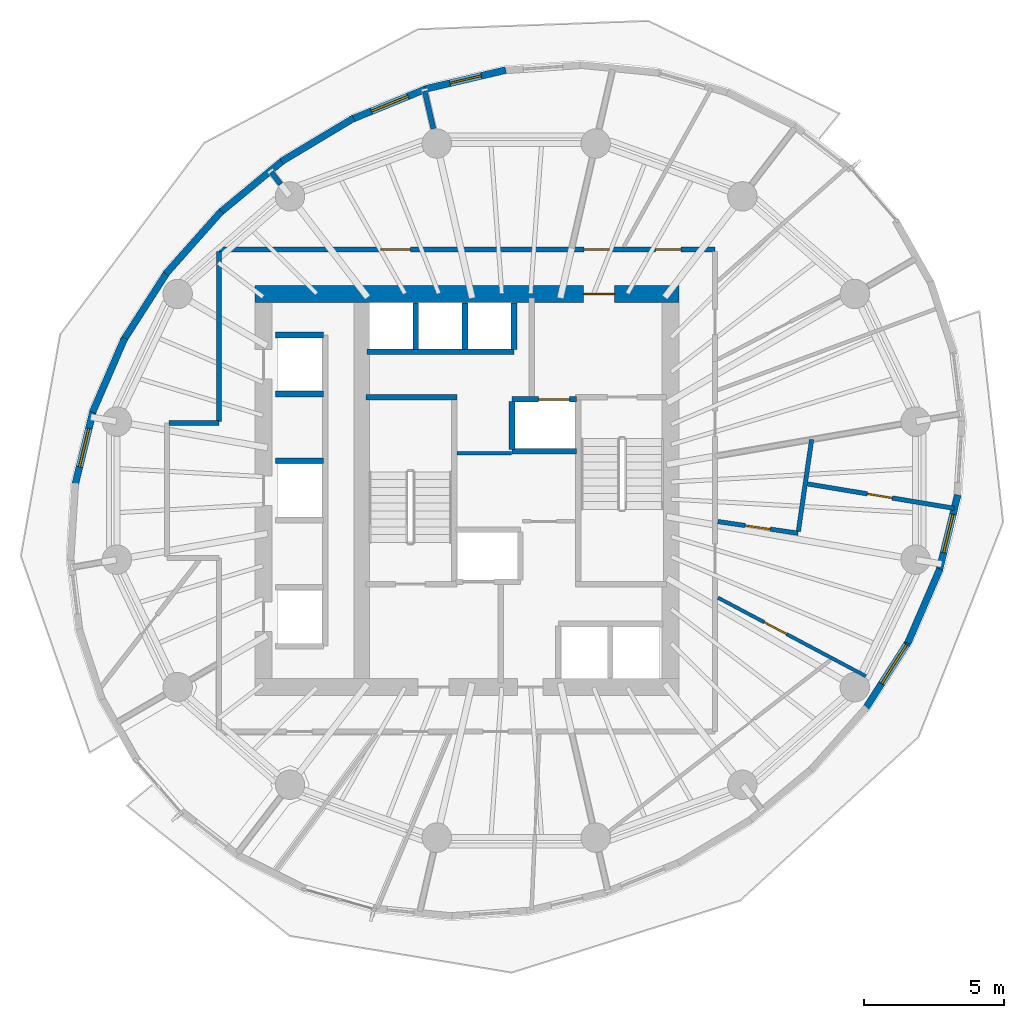
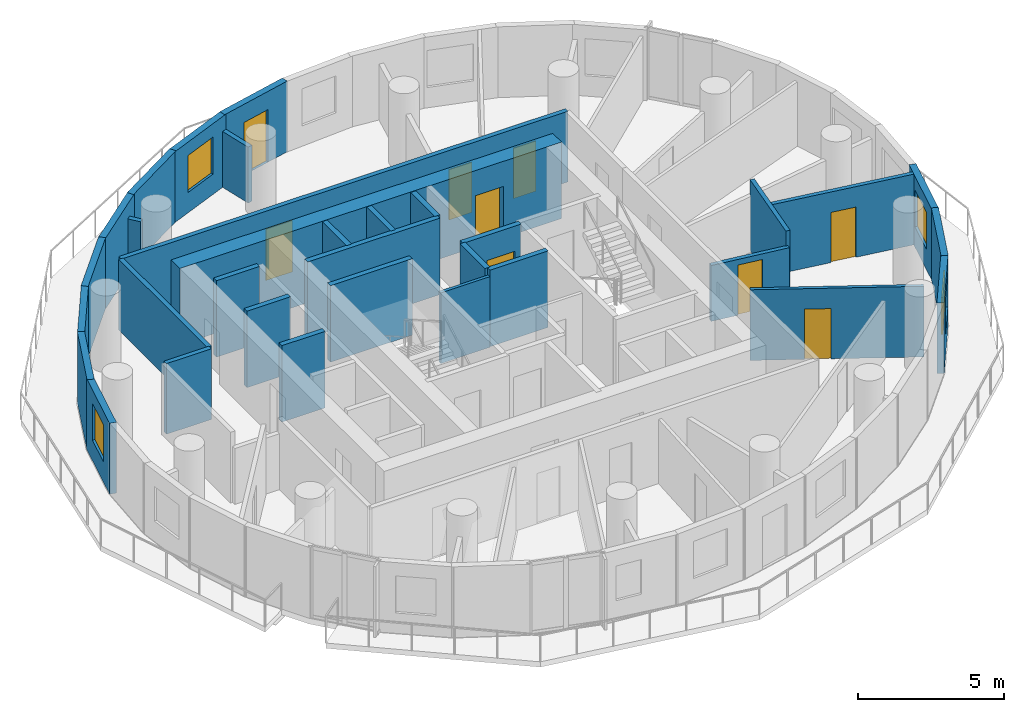
# One storey, part 6 of 12: 33 walls, 9 doors, 4 windows, 13 openings.
"""IFC4 building model written with IfcOpenShell, lengths in metres."""

import ifcopenshell
import ifcopenshell.guid

model = None  # the IFC model being written
_history = None  # IfcOwnerHistory: only IFC2X3 demands one
_inside = {}  # id of a spatial element -> (the spatial element, [elements in it])
_under = {}  # id of a project, library or spatial element -> (it, [spatial elements below it])
_declared = {}  # id of a project -> (the project, [libraries it declares])
_typed = {}  # id of a type object -> (the type object, [elements of that type])
_made_of = {}  # id of a material, layer set ... -> (it, [elements and type objects made of it])


def new_model(schema):
    """Start an empty IFC model of exactly this schema.

    Asked for "IFC4X3", IfcOpenShell would pick the latest addendum, in which some entities
    have other attributes; the version numbers below select the first issue.
    IFC2X3 requires an IfcOwnerHistory on every rooted entity: one is made here for all.
    """
    global model, _history
    if schema == "IFC4X3":
        model = ifcopenshell.file(schema_version=(4, 3, 0, 0))
    else:
        model = ifcopenshell.file(schema=schema)
    _inside.clear()
    _under.clear()
    _declared.clear()
    _typed.clear()
    _made_of.clear()
    _history = None
    if model.schema == "IFC2X3":
        org = make("IfcOrganization", Name="unknown")
        user = make(
            "IfcPersonAndOrganization",
            ThePerson=make("IfcPerson", FamilyName="unknown"),
            TheOrganization=org,
        )
        app = make(
            "IfcApplication",
            ApplicationDeveloper=org,
            Version="unknown",
            ApplicationFullName="unknown",
            ApplicationIdentifier="unknown",
        )
        _history = make(
            "IfcOwnerHistory",
            OwningUser=user,
            OwningApplication=app,
            ChangeAction="ADDED",
            CreationDate=0,
        )
    return model


def make(cls, **values):
    """One entity of the class cls with the attributes given. An attribute that is None is left unset."""
    return model.create_entity(
        cls, **{name: value for name, value in values.items() if value is not None}
    )


def rooted(cls, **values):
    """An entity with a GlobalId (a new one), such as an element, a storey or a relation."""
    return make(cls, GlobalId=ifcopenshell.guid.new(), OwnerHistory=_history, **values)


def si_unit(unit_type, name, prefix=None):
    """IfcSIUnit, for example si_unit("LENGTHUNIT", "METRE", prefix="MILLI")."""
    return make("IfcSIUnit", UnitType=unit_type, Prefix=prefix, Name=name)


def assignment(units):
    """IfcUnitAssignment: the units of a project."""
    return None if units is None else make("IfcUnitAssignment", Units=units)


def point(xyz):
    """IfcCartesianPoint."""
    return None if xyz is None else make("IfcCartesianPoint", Coordinates=xyz)


def direction(xyz):
    """IfcDirection."""
    return None if xyz is None else make("IfcDirection", DirectionRatios=xyz)


def frame(location, z_axis=None, x_axis=None):
    """IfcAxis2Placement3D, a coordinate frame: its origin and axes. An axis left out is left unset."""
    return make(
        "IfcAxis2Placement3D",
        Location=point(location),
        Axis=direction(z_axis),
        RefDirection=direction(x_axis),
    )


def frame_2d(location, x_axis=None):
    """IfcAxis2Placement2D, a coordinate frame in the plane: its origin and x axis."""
    return make(
        "IfcAxis2Placement2D", Location=point(location), RefDirection=direction(x_axis)
    )


def origin():
    """The frame at (0, 0, 0) with its axes left unset."""
    return frame((0.0, 0.0, 0.0))


def place(relative_to, where):
    """IfcLocalPlacement: puts the frame where relative to a parent placement (None: the world)."""
    return make(
        "IfcLocalPlacement", PlacementRelTo=relative_to, RelativePlacement=where
    )


def context(
    kind, dimensions, precision=None, world=None, true_north=None, identifier=None
):
    """IfcGeometricRepresentationContext, for example the 3D "Model" context."""
    return make(
        "IfcGeometricRepresentationContext",
        ContextIdentifier=identifier,
        ContextType=kind,
        CoordinateSpaceDimension=dimensions,
        Precision=precision,
        WorldCoordinateSystem=world,
        TrueNorth=true_north,
    )


def subcontext(parent, identifier, kind, view, scale=None):
    """IfcGeometricRepresentationSubContext, for example "Body" below "Model"."""
    return make(
        "IfcGeometricRepresentationSubContext",
        ContextIdentifier=identifier,
        ContextType=kind,
        ParentContext=parent,
        TargetScale=scale,
        TargetView=view,
    )


def project(units=None, contexts=None):
    """IfcProject with its units and contexts."""
    return rooted(
        "IfcProject",
        Name="project",
        RepresentationContexts=contexts,
        UnitsInContext=assignment(units),
    )


def spatial(cls, under=None, at=None, **own):
    """A site, building, storey or space (cls), placed at a placement, below another one or the project."""
    s = rooted(cls, ObjectPlacement=at, **own)
    if under is not None:
        _under.setdefault(under.id(), (under, []))[1].append(s)
    return s


def profile(cls, at=None, kind="AREA", **sizes):
    """A parametric profile (cls). Its sizes go by their IFC names, for example OverallWidth=200.0."""
    return make(cls, ProfileType=kind, Position=at, **sizes)


def rectangle(**sizes):
    """IfcRectangleProfileDef."""
    return profile("IfcRectangleProfileDef", **sizes)


def extrude(swept, where, along, depth):
    """IfcExtrudedAreaSolid: the profile swept, set in the frame where, extruded along a direction by depth."""
    return make(
        "IfcExtrudedAreaSolid",
        SweptArea=swept,
        Position=where,
        ExtrudedDirection=direction(along),
        Depth=depth,
    )


def shape(context_of_items, identifier, shape_type, items):
    """IfcShapeRepresentation: the items that make up one representation, for example the "Body"."""
    return make(
        "IfcShapeRepresentation",
        ContextOfItems=context_of_items,
        RepresentationIdentifier=identifier,
        RepresentationType=shape_type,
        Items=items,
    )


def material(Name=None, Category=None):
    """IfcMaterial."""
    return make("IfcMaterial", Name=Name, Category=Category)


def layer(
    of_material, thickness, ventilated=None, Name=None, Category=None, Priority=None
):
    """IfcMaterialLayer: one layer of a wall or slab, of a material (None: an air gap)."""
    return make(
        "IfcMaterialLayer",
        Material=of_material,
        LayerThickness=thickness,
        IsVentilated=ventilated,
        Name=Name,
        Category=Category,
        Priority=Priority,
    )


def layer_set(layers, Name=None):
    """IfcMaterialLayerSet."""
    return make("IfcMaterialLayerSet", MaterialLayers=layers, LayerSetName=Name)


def made_of(thing, what):
    """Note that an element or type object is made of a material, layer set ...; save() writes the relation."""
    if what is not None:
        _made_of.setdefault(what.id(), (what, []))[1].append(thing)
    return thing


def type_object(cls, material=None, **own):
    """A type object (cls), such as IfcWallType, which elements share."""
    return made_of(rooted(cls, **own), material)


def element(
    cls,
    number,
    at=None,
    inside=None,
    cuts=None,
    type_object=None,
    material=None,
    context=None,
    identifier="Body",
    shape_type=None,
    held_by="IfcProductDefinitionShape",
    body=None,
    shapes=None,
    **own,
):
    """One element of the class cls, such as IfcWall. Its Tag is "e" and its number.

    at: its placement. inside: the storey or other place that contains it. cuts: it is an
    opening in that element (IfcRelVoidsElement). A single representation is given by context,
    identifier, shape_type and body (its items); several are given by shapes. held_by: the class
    of the entity that holds the representations. save() writes the other relations.
    """
    e = rooted(cls, Tag="e%d" % number, ObjectPlacement=at, **own)
    if body is not None:
        shapes = [shape(context, identifier, shape_type, body)]
    if shapes is not None:
        e.Representation = make(held_by, Representations=shapes)
    if inside is not None:
        _inside.setdefault(inside.id(), (inside, []))[1].append(e)
    if cuts is not None:
        rooted(
            "IfcRelVoidsElement", RelatingBuildingElement=cuts, RelatedOpeningElement=e
        )
    if type_object is not None:
        _typed.setdefault(type_object.id(), (type_object, []))[1].append(e)
    return made_of(e, material)


def fill(opening, filler):
    """IfcRelFillsElement: the door or window that sits in an opening."""
    return rooted(
        "IfcRelFillsElement",
        RelatingOpeningElement=opening,
        RelatedBuildingElement=filler,
    )


def aggregate(whole, parts):
    """IfcRelAggregates: a whole, such as a stair, and the parts it consists of."""
    return rooted("IfcRelAggregates", RelatingObject=whole, RelatedObjects=parts)


def save(model, path):
    """Write the relations noted so far, then the file.

    IfcRelAggregates (storeys below a building ...), IfcRelContainedInSpatialStructure (elements
    in a storey), IfcRelDefinesByType, IfcRelAssociatesMaterial and IfcRelDeclares: one each for
    every whole, place, type object, material and project.
    """
    for whole, parts in _under.values():
        aggregate(whole, parts)
    for where, things in _inside.values():
        rooted(
            "IfcRelContainedInSpatialStructure",
            RelatedElements=things,
            RelatingStructure=where,
        )
    for kind, things in _typed.values():
        rooted("IfcRelDefinesByType", RelatedObjects=things, RelatingType=kind)
    for what, things in _made_of.values():
        rooted("IfcRelAssociatesMaterial", RelatedObjects=things, RelatingMaterial=what)
    for by, libraries in _declared.values():
        rooted("IfcRelDeclares", RelatingContext=by, RelatedDefinitions=libraries)
    model.write(path)


model = new_model("IFC4")

# Units and contexts
model_context = context("Model", 3, precision=1e-05, world=origin(), true_north=direction((0.0, 1.0)))
body_context = subcontext(model_context, "Body", "Model", "MODEL_VIEW")
ifc_project = project(units=[si_unit("LENGTHUNIT", "METRE"), si_unit("AREAUNIT", "SQUARE_METRE"), si_unit("VOLUMEUNIT", "CUBIC_METRE"), si_unit("PLANEANGLEUNIT", "RADIAN"), si_unit("MASSUNIT", "GRAM", prefix="KILO")], contexts=[model_context])

# Site, building, storey
site_placement = place(None, origin())
site = spatial("IfcSite", under=ifc_project, at=site_placement, CompositionType="ELEMENT")
building_placement = place(site_placement, origin())
building = spatial("IfcBuilding", under=site, at=building_placement, Name="Veldorim Arch Residences", CompositionType="ELEMENT")
storey_placement = place(building_placement, frame((0.0, 0.0, 148.9599609375)))
storey = spatial("IfcBuildingStorey", under=building, at=storey_placement, Name="L44", CompositionType="ELEMENT", Elevation=148.9599609375)

# Wall
ifc_material_1 = material(Name="Acoustic Gypsum Board", Category="gypsum")
ifc_layer_1 = layer(ifc_material_1, 0.125, Name="Acoustic Stud Room Partition Wall 125")
ifc_layer_set_1 = layer_set([ifc_layer_1], Name="Acoustic Gypsum Board")
wall_type_1 = type_object("IfcWallType", Name="Acoustic Stud Room Partition Wall 125", PredefinedType="PARTITIONING", material=ifc_layer_set_1)
wall_1_placement = place(storey_placement, frame((29.889892578125, 25.330078125, 0.0), z_axis=(0.0, 0.0, 1.0), x_axis=(1.0, 0.0, 0.0)))
element("IfcWall", 1, at=wall_1_placement, inside=storey, type_object=wall_type_1, Name="L44 interior wall WL-CA-L44-N", PredefinedType="PARTITIONING", context=body_context, shape_type="SweptSolid", body=[
    extrude(rectangle(XDim=1.940185546875, YDim=0.125, at=frame_2d((0.97021484375, 0.0))), origin(), (0.0, 0.0, 1.0), 2.955078125),
])

# Wall, opening, door
wall_2_placement = place(storey_placement, frame((44.443115234375, 17.39453125, 0.0), z_axis=(0.0, 0.0, 1.0), x_axis=(-0.883258541518, 0.468886285612, 0.0)))
wall_2 = element("IfcWall", 2, at=wall_2_placement, inside=storey, type_object=wall_type_1, Name="L44 interior wall WL-RES-L44-016", PredefinedType="PARTITIONING", context=body_context, shape_type="SweptSolid", body=[
    extrude(rectangle(XDim=5.951904296875, YDim=0.125, at=frame_2d((2.97607421875, 0.0))), origin(), (0.0, 0.0, 1.0), 2.955078125),
])
opening_1_placement = place(wall_2_placement, frame((3.18408203125, 0.0, 0.0)))
opening_1 = element("IfcOpeningElement", 3, at=opening_1_placement, cuts=wall_2, Name="Opening DR-INT", PredefinedType="OPENING", context=body_context, shape_type="SweptSolid", body=[
    extrude(rectangle(XDim=0.89990234375, YDim=2.10009765625, at=frame_2d((0.449951171875, 1.050048828125))), frame((0.0, 0.072509765625, 0.0), z_axis=(0.0, -1.0, 0.0), x_axis=(1.0, 0.0, 0.0)), (0.0, 0.0, 1.0), 0.14501953125),
])
ifc_material_2 = material(Name="Engineered Timber", Category="wood")
door_type_1 = type_object("IfcDoorType", Name="Apartment Internal Room Timber Door 900x2100", OperationType="SINGLE_SWING_LEFT", PredefinedType="DOOR", material=ifc_material_2)
door_1_placement = place(opening_1_placement, origin())
door_1 = element("IfcDoor", 4, at=door_1_placement, inside=storey, type_object=door_type_1, Name="L44 interior door DR-RES-L44-007", OperationType="SINGLE_SWING_LEFT", OverallHeight=2.10009765625, OverallWidth=0.89990234375, PredefinedType="DOOR", context=body_context, shape_type="SweptSolid", body=[
    extrude(rectangle(XDim=0.89990234375, YDim=2.10009765625, at=frame_2d((0.449951171875, 1.050048828125))), frame((0.0, 0.02490234375, 0.0), z_axis=(0.0, -1.0, 0.0), x_axis=(1.0, 0.0, 0.0)), (0.0, 0.0, 1.0), 0.050048828125),
])
fill(opening_1, door_1)

# Walls
ifc_material_3 = material(Name="Lightweight Masonry Block & Gypsum", Category="masonry")
ifc_layer_2 = layer(ifc_material_3, 0.179931640625, Name="Compartment & Corridor Fire-Rated Party Wall 180")
ifc_layer_set_2 = layer_set([ifc_layer_2], Name="Lightweight Masonry Block & Gypsum")
wall_type_2 = type_object("IfcWallType", Name="Compartment & Corridor Fire-Rated Party Wall 180", PredefinedType="PARTITIONING", material=ifc_layer_set_2)
wall_3_placement = place(storey_placement, frame((29.049560546875, 36.88916015625, 0.0), z_axis=(0.0, 0.0, 1.0), x_axis=(-0.223027623572, 0.974812125039, 0.0)))
element("IfcWall", 5, at=wall_3_placement, inside=storey, type_object=wall_type_2, Name="L44 interior wall WL-PIER-L44-05", PredefinedType="PARTITIONING", context=body_context, shape_type="SweptSolid", body=[
    extrude(rectangle(XDim=1.372802734375, YDim=0.179931640625, at=frame_2d((0.6865234375, 0.0))), origin(), (0.0, 0.0, 1.0), 2.3359375),
])
wall_4_placement = place(storey_placement, frame((23.612060546875, 34.908447265625, 0.0), z_axis=(0.0, 0.0, 1.0), x_axis=(-0.6096676216, 0.792657171275, 0.0)))
element("IfcWall", 6, at=wall_4_placement, inside=storey, type_object=wall_type_2, Name="L44 interior wall WL-PIER-L44-06", PredefinedType="PARTITIONING", context=body_context, shape_type="SweptSolid", body=[
    extrude(rectangle(XDim=0.547119140625, YDim=0.179931640625, at=frame_2d((0.2734375, 0.0))), origin(), (0.0, 0.0, 1.0), 2.3359375),
])

# Wall, openings, doors
wall_5_placement = place(storey_placement, frame((21.419921875, 32.580078125, 0.0), z_axis=(0.0, 0.0, 1.0), x_axis=(1.0, 0.0, 0.0)))
wall_5 = element("IfcWall", 7, at=wall_5_placement, inside=storey, type_object=wall_type_2, Name="L44 interior wall WL-RES-L44-004", PredefinedType="PARTITIONING", context=body_context, shape_type="SweptSolid", body=[
    extrude(rectangle(XDim=17.66015625, YDim=0.179931640625, at=frame_2d((8.830078125, 0.0))), origin(), (0.0, 0.0, 1.0), 2.955078125),
])
opening_2_placement = place(wall_5_placement, frame((13.000732421875, 0.0, 0.0)))
opening_2 = element("IfcOpeningElement", 8, at=opening_2_placement, cuts=wall_5, Name="Opening DR-INT", PredefinedType="OPENING", context=body_context, shape_type="SweptSolid", body=[
    extrude(rectangle(XDim=0.89990234375, YDim=2.10009765625, at=frame_2d((0.449951171875, 1.050048828125))), frame((0.0, 0.099853515625, 0.0), z_axis=(0.0, -1.0, 0.0), x_axis=(1.0, 0.0, 0.0)), (0.0, 0.0, 1.0), 0.199951171875),
])
opening_3_placement = place(wall_5_placement, frame((15.54736328125, 0.0, 0.0)))
opening_3 = element("IfcOpeningElement", 9, at=opening_3_placement, cuts=wall_5, Name="Opening DR-SVC", PredefinedType="OPENING", context=body_context, shape_type="SweptSolid", body=[
    extrude(rectangle(XDim=0.89990234375, YDim=2.10009765625, at=frame_2d((0.449951171875, 1.050048828125))), frame((0.0, 0.099853515625, 0.0), z_axis=(0.0, -1.0, 0.0), x_axis=(1.0, 0.0, 0.0)), (0.0, 0.0, 1.0), 0.199951171875),
])
opening_4_placement = place(wall_5_placement, frame((5.757080078125, 0.0, 0.0)))
opening_4 = element("IfcOpeningElement", 10, at=opening_4_placement, cuts=wall_5, Name="Opening DR-FLT", PredefinedType="OPENING", context=body_context, shape_type="SweptSolid", body=[
    extrude(rectangle(XDim=1.050048828125, YDim=2.14990234375, at=frame_2d((0.52490234375, 1.074951171875))), frame((0.0, 0.099853515625, 0.0), z_axis=(0.0, -1.0, 0.0), x_axis=(1.0, 0.0, 0.0)), (0.0, 0.0, 1.0), 0.199951171875),
])
ifc_material_4 = material(Name="Fire-Rated Timber", Category="wood")
door_type_2 = type_object("IfcDoorType", Name="Apartment Entrance Solid-Core Fire Door 1050x2150", OperationType="SINGLE_SWING_LEFT", PredefinedType="DOOR", material=ifc_material_4)
door_2_placement = place(opening_4_placement, origin())
door_2 = element("IfcDoor", 11, at=door_2_placement, inside=storey, type_object=door_type_2, Name="L44 interior door DR-RES-L44-015", OperationType="SINGLE_SWING_LEFT", OverallHeight=2.14990234375, OverallWidth=1.050048828125, PredefinedType="DOOR", context=body_context, shape_type="SweptSolid", body=[
    extrude(rectangle(XDim=1.050048828125, YDim=2.14990234375, at=frame_2d((0.52490234375, 1.074951171875))), frame((0.0, 0.02490234375, 0.0), z_axis=(0.0, -1.0, 0.0), x_axis=(1.0, 0.0, 0.0)), (0.0, 0.0, 1.0), 0.050048828125),
])
fill(opening_4, door_2)
door_3_placement = place(opening_2_placement, origin())
door_3 = element("IfcDoor", 12, at=door_3_placement, inside=storey, type_object=door_type_1, Name="L44 interior door DR-RES-L44-010", OperationType="SINGLE_SWING_RIGHT", OverallHeight=2.10009765625, OverallWidth=0.89990234375, PredefinedType="DOOR", context=body_context, shape_type="SweptSolid", body=[
    extrude(rectangle(XDim=0.89990234375, YDim=2.10009765625, at=frame_2d((0.449951171875, 1.050048828125))), frame((0.0, 0.02490234375, 0.0), z_axis=(0.0, -1.0, 0.0), x_axis=(1.0, 0.0, 0.0)), (0.0, 0.0, 1.0), 0.050048828125),
])
fill(opening_2, door_3)
ifc_material_5 = material(Name="Fire-Rated Steel", Category="steel")
door_type_3 = type_object("IfcDoorType", Name="Riser, Shelter & Plant Room Rated Steel Door 900x2100", OperationType="SINGLE_SWING_LEFT", PredefinedType="DOOR", material=ifc_material_5)
door_4_placement = place(opening_3_placement, origin())
door_4 = element("IfcDoor", 13, at=door_4_placement, inside=storey, type_object=door_type_3, Name="L44 interior door DR-RES-L44-011", OperationType="SINGLE_SWING_LEFT", OverallHeight=2.10009765625, OverallWidth=0.89990234375, PredefinedType="DOOR", context=body_context, shape_type="SweptSolid", body=[
    extrude(rectangle(XDim=0.89990234375, YDim=2.10009765625, at=frame_2d((0.449951171875, 1.050048828125))), frame((0.0, 0.02490234375, 0.0), z_axis=(0.0, -1.0, 0.0), x_axis=(1.0, 0.0, 0.0)), (0.0, 0.0, 1.0), 0.050048828125),
])
fill(opening_3, door_4)

# Walls
wall_6_placement = place(storey_placement, frame((19.6298828125, 26.39990234375, 0.0), z_axis=(0.0, 0.0, 1.0), x_axis=(1.0, 0.0, 0.0)))
element("IfcWall", 14, at=wall_6_placement, inside=storey, type_object=wall_type_2, Name="L44 interior wall WL-RES-L44-008", PredefinedType="PARTITIONING", context=body_context, shape_type="SweptSolid", body=[
    extrude(rectangle(XDim=1.7900390625, YDim=0.179931640625, at=frame_2d((0.89501953125, 0.0))), origin(), (0.0, 0.0, 1.0), 2.955078125),
])
wall_7_placement = place(storey_placement, frame((21.419921875, 26.4599609375, 0.0), z_axis=(0.0, 0.0, 1.0), x_axis=(0.0, 1.0, 0.0)))
element("IfcWall", 15, at=wall_7_placement, inside=storey, type_object=wall_type_2, Name="L44 interior wall WL-RES-L44-009", PredefinedType="PARTITIONING", context=body_context, shape_type="SweptSolid", body=[
    extrude(rectangle(XDim=6.06005859375, YDim=0.179931640625, at=frame_2d((3.030029296875, 0.0))), origin(), (0.0, 0.0, 1.0), 2.955078125),
])
ifc_material_6 = material(Name="Concrete C50/60", Category="concrete")
ifc_layer_3 = layer(ifc_material_6, 0.199951171875, Name="Core Stair & Lift Shaft Enclosure Wall 200")
ifc_layer_set_3 = layer_set([ifc_layer_3], Name="Concrete C50/60")
wall_type_3 = type_object("IfcWallType", Name="Core Stair & Lift Shaft Enclosure Wall 200", PredefinedType="SHEAR", material=ifc_layer_set_3)
wall_8_placement = place(storey_placement, frame((26.64990234375, 27.330078125, 0.0), z_axis=(0.0, 0.0, 1.0), x_axis=(1.0, 0.0, 0.0)))
element("IfcWall", 16, at=wall_8_placement, inside=storey, type_object=wall_type_3, Name="L44 shaft wall WL-SHF-L44-ST1-N", PredefinedType="SHEAR", context=body_context, shape_type="SweptSolid", body=[
    extrude(rectangle(XDim=3.239990234375, YDim=0.199951171875, at=frame_2d((1.6201171875, 0.0))), origin(), (0.0, 0.0, 1.0), 3.199951171875),
])

# Wall, opening, door
wall_9_placement = place(storey_placement, frame((31.85009765625, 27.25, 0.0), z_axis=(0.0, 0.0, 1.0), x_axis=(1.0, 0.0, 0.0)))
wall_9 = element("IfcWall", 17, at=wall_9_placement, inside=storey, type_object=wall_type_3, Name="L44 shaft wall WL-FL02-L44-N", PredefinedType="SHEAR", context=body_context, shape_type="SweptSolid", body=[
    extrude(rectangle(XDim=2.2998046875, YDim=0.199951171875, at=frame_2d((1.14990234375, 0.0))), origin(), (0.0, 0.0, 1.0), 3.199951171875),
])
opening_5_placement = place(wall_9_placement, frame((0.949951171875, 0.0, 0.0)))
opening_5 = element("IfcOpeningElement", 18, at=opening_5_placement, cuts=wall_9, Name="Opening LD-FF", PredefinedType="OPENING", context=body_context, shape_type="SweptSolid", body=[
    extrude(rectangle(XDim=1.10009765625, YDim=2.14990234375, at=frame_2d((0.550048828125, 1.074951171875))), frame((0.0, 0.10986328125, 0.0), z_axis=(0.0, -1.0, 0.0), x_axis=(1.0, 0.0, 0.0)), (0.0, 0.0, 1.0), 0.219970703125),
])
ifc_material_7 = material(Name="Stainless Steel", Category="steel")
door_type_4 = type_object("IfcDoorType", Name="Firefighting Lift Bi-Parting Sliding Landing Door 1100x2150", OperationType="DOUBLE_DOOR_SLIDING", PredefinedType="DOOR", material=ifc_material_7)
door_5_placement = place(opening_5_placement, origin())
door_5 = element("IfcDoor", 19, at=door_5_placement, inside=storey, type_object=door_type_4, Name="L44 lift landing door LD-L44-FL02", OperationType="DOUBLE_DOOR_SLIDING", OverallHeight=2.14990234375, OverallWidth=1.10009765625, PredefinedType="DOOR", context=body_context, shape_type="SweptSolid", body=[
    extrude(rectangle(XDim=1.10009765625, YDim=2.14990234375, at=frame_2d((0.550048828125, 1.074951171875))), frame((0.0, 0.02490234375, 0.0), z_axis=(0.0, -1.0, 0.0), x_axis=(1.0, 0.0, 0.0)), (0.0, 0.0, 1.0), 0.050048828125),
])
fill(opening_5, door_5)

# Walls
wall_10_placement = place(storey_placement, frame((31.85009765625, 25.39990234375, 0.0), z_axis=(0.0, 0.0, 1.0), x_axis=(1.0, 0.0, 0.0)))
element("IfcWall", 20, at=wall_10_placement, inside=storey, type_object=wall_type_3, Name="L44 shaft wall WL-FL02-L44-S", PredefinedType="SHEAR", context=body_context, shape_type="SweptSolid", body=[
    extrude(rectangle(XDim=2.2998046875, YDim=0.199951171875, at=frame_2d((1.14990234375, 0.0))), origin(), (0.0, 0.0, 1.0), 3.199951171875),
])
for number, where, z_axis, x_axis, name in (
    (21, (31.85009765625, 25.469970703125, 0.0), (0.0, 0.0, 1.0), (0.0, 1.0, 0.0), "L44 shaft wall WL-FL02-L44-W"),
    (22, (23.419921875, 29.5400390625, 0.0), (0.0, 0.0, 1.0), (1.0, 0.0, 0.0), "L44 shaft wall WL-B2-L44-N"),
    (23, (23.419921875, 25.06005859375, 0.0), (0.0, 0.0, 1.0), (1.0, 0.0, 0.0), "L44 shaft wall WL-B2-L44-D2A"),
    (24, (23.419921875, 27.43994140625, 0.0), (0.0, 0.0, 1.0), (1.0, 0.0, 0.0), "L44 shaft wall WL-B2-L44-D2B"),
):
    element("IfcWall", number, at=place(storey_placement, frame(where, z_axis=z_axis, x_axis=x_axis)), inside=storey, type_object=wall_type_3, Name=name, PredefinedType="SHEAR", context=body_context, shape_type="SweptSolid", body=[
        extrude(rectangle(XDim=1.7099609375, YDim=0.199951171875, at=frame_2d((0.85498046875, 0.0))), origin(), (0.0, 0.0, 1.0), 3.199951171875),
    ])
wall_11_placement = place(storey_placement, frame((26.679931640625, 28.949951171875, 0.0), z_axis=(0.0, 0.0, 1.0), x_axis=(1.0, 0.0, 0.0)))
element("IfcWall", 25, at=wall_11_placement, inside=storey, type_object=wall_type_3, Name="L44 shaft wall WL-B3-L44-S", PredefinedType="SHEAR", context=body_context, shape_type="SweptSolid", body=[
    extrude(rectangle(XDim=5.239990234375, YDim=0.199951171875, at=frame_2d((2.6201171875, 0.0))), origin(), (0.0, 0.0, 1.0), 3.199951171875),
])
for number, where, z_axis, x_axis, name in (
    (26, (31.919921875, 29.02001953125, 0.0), (0.0, 0.0, 1.0), (0.0, 1.0, 0.0), "L44 shaft wall WL-B3-L44-E"),
    (27, (28.425048828125, 29.02001953125, 0.0), (0.0, 0.0, 1.0), (0.0, 1.0, 0.0), "L44 shaft wall WL-B3-L44-D1"),
    (28, (30.175048828125, 29.02001953125, 0.0), (0.0, 0.0, 1.0), (0.0, 1.0, 0.0), "L44 shaft wall WL-B3-L44-D2"),
):
    element("IfcWall", number, at=place(storey_placement, frame(where, z_axis=z_axis, x_axis=x_axis)), inside=storey, type_object=wall_type_3, Name=name, PredefinedType="SHEAR", context=body_context, shape_type="SweptSolid", body=[
        extrude(rectangle(XDim=1.659912109375, YDim=0.199951171875, at=frame_2d((0.830078125, 0.0))), origin(), (0.0, 0.0, 1.0), 3.199951171875),
    ])

# Wall, opening, door
ifc_material_8 = material(Name="Concrete C50/60", Category="concrete")
ifc_layer_4 = layer(ifc_material_8, 0.60009765625, Name="Mid-Upper Central Core Shear Wall 600")
ifc_layer_set_4 = layer_set([ifc_layer_4], Name="Concrete C50/60")
wall_type_4 = type_object("IfcWallType", Name="Mid-Upper Central Core Shear Wall 600", PredefinedType="SHEAR", material=ifc_layer_set_4)
wall_12_placement = place(storey_placement, frame((22.699951171875, 31.0, 0.0), z_axis=(0.0, 0.0, 1.0), x_axis=(1.0, 0.0, 0.0)))
wall_12 = element("IfcWall", 29, at=wall_12_placement, inside=storey, type_object=wall_type_4, Name="L44 central core north shear wall", PredefinedType="SHEAR", context=body_context, shape_type="SweptSolid", body=[
    extrude(rectangle(XDim=15.10009765625, YDim=0.60009765625, at=frame_2d((7.550048828125, 0.0))), origin(), (0.0, 0.0, 1.0), 3.199951171875),
])
opening_6_placement = place(wall_12_placement, frame((11.699951171875, 0.0, 0.0)))
opening_6 = element("IfcOpeningElement", 30, at=opening_6_placement, cuts=wall_12, Name="Opening DR-FFL", PredefinedType="OPENING", context=body_context, shape_type="SweptSolid", body=[
    extrude(rectangle(XDim=1.10009765625, YDim=2.14990234375, at=frame_2d((0.550048828125, 1.074951171875))), frame((0.0, 0.31005859375, 0.0), z_axis=(0.0, -1.0, 0.0), x_axis=(1.0, 0.0, 0.0)), (0.0, 0.0, 1.0), 0.6201171875),
])
ifc_material_9 = material(Name="Fire-Rated Steel & Vision Glass", Category="steel")
door_type_5 = type_object("IfcDoorType", Name="Firefighting Lobby Smoke-Stop Fire Door 1100x2150", OperationType="SINGLE_SWING_LEFT", PredefinedType="DOOR", material=ifc_material_9)
door_6_placement = place(opening_6_placement, origin())
door_6 = element("IfcDoor", 31, at=door_6_placement, inside=storey, type_object=door_type_5, Name="L44 interior door DR-L44-FFL2", OperationType="SINGLE_SWING_LEFT", OverallHeight=2.14990234375, OverallWidth=1.10009765625, PredefinedType="DOOR", context=body_context, shape_type="SweptSolid", body=[
    extrude(rectangle(XDim=1.10009765625, YDim=2.14990234375, at=frame_2d((0.550048828125, 1.074951171875))), frame((0.0, 0.02490234375, 0.0), z_axis=(0.0, -1.0, 0.0), x_axis=(1.0, 0.0, 0.0)), (0.0, 0.0, 1.0), 0.050048828125),
])
fill(opening_6, door_6)

ifc_material_10 = material(Name="Precast concrete C40/50", Category="concrete")
ifc_layer_5 = layer(ifc_material_10, 0.25, Name="Tower Terracotta Spandrel & Pier Wall 250")
ifc_layer_set_5 = layer_set([ifc_layer_5], Name="Precast concrete C40/50")
wall_type_5 = type_object("IfcWallType", Name="Tower Terracotta Spandrel & Pier Wall 250", PredefinedType="SOLIDWALL", material=ifc_layer_set_5)
wall_13_placement = place(storey_placement, frame((28.766845703125, 38.305419921875, 0.0), z_axis=(0.0, 0.0, 1.0), x_axis=(0.973538048261, 0.228524984602, 0.0)))
wall_13 = element("IfcWall", 32, at=wall_13_placement, inside=storey, type_object=wall_type_5, Name="L44 terracotta facade wall 07", PredefinedType="SOLIDWALL", context=body_context, shape_type="SweptSolid", body=[
    extrude(rectangle(XDim=2.936767578125, YDim=0.25, at=frame_2d((1.46826171875, 0.0))), origin(), (0.0, 0.0, 1.0), 2.9599609375),
])
opening_7_placement = place(wall_13_placement, frame((0.89306640625, 0.0, 0.0)))
opening_7 = element("IfcOpeningElement", 33, at=opening_7_placement, cuts=wall_13, Name="Opening BL-DR", PredefinedType="OPENING", context=body_context, shape_type="SweptSolid", body=[
    extrude(rectangle(XDim=1.14990234375, YDim=2.199951171875, at=frame_2d((0.574951171875, 1.10009765625))), frame((0.0, 0.135009765625, 0.0), z_axis=(0.0, -1.0, 0.0), x_axis=(1.0, 0.0, 0.0)), (0.0, 0.0, 1.0), 0.27001953125),
])
ifc_material_11 = material(Name="Aluminium & Low-E Glass", Category="aluminium")
door_type_6 = type_object("IfcDoorType", Name="Glazed Planted Balcony Door 1150x2200", OperationType="SINGLE_SWING_LEFT", PredefinedType="DOOR", material=ifc_material_11)
door_7_placement = place(opening_7_placement, origin())
door_7 = element("IfcDoor", 34, at=door_7_placement, inside=storey, type_object=door_type_6, Name="L44 glazed outdoor terrace door BALC-1", OperationType="SINGLE_SWING_LEFT", OverallHeight=2.199951171875, OverallWidth=1.14990234375, PredefinedType="DOOR", context=body_context, shape_type="SweptSolid", body=[
    extrude(rectangle(XDim=1.14990234375, YDim=2.199951171875, at=frame_2d((0.574951171875, 1.10009765625))), frame((0.0, 0.02490234375, 0.0), z_axis=(0.0, -1.0, 0.0), x_axis=(1.0, 0.0, 0.0)), (0.0, 0.0, 1.0), 0.050048828125),
])
fill(opening_7, door_7)

# Wall, opening, window
wall_14_placement = place(storey_placement, frame((26.114013671875, 37.21533203125, 0.0), z_axis=(0.0, 0.0, 1.0), x_axis=(0.926076439021, 0.377335963154, 0.0)))
wall_14 = element("IfcWall", 35, at=wall_14_placement, inside=storey, type_object=wall_type_5, Name="L44 terracotta facade wall 08", PredefinedType="SOLIDWALL", context=body_context, shape_type="SweptSolid", body=[
    extrude(rectangle(XDim=2.976806640625, YDim=0.25, at=frame_2d((1.48828125, 0.0))), origin(), (0.0, 0.0, 1.0), 2.9599609375),
])
opening_8_placement = place(wall_14_placement, frame((0.7890625, 0.0, 0.85009765625)))
opening_8 = element("IfcOpeningElement", 36, at=opening_8_placement, cuts=wall_14, Name="Opening WN-02", PredefinedType="OPENING", context=body_context, shape_type="SweptSolid", body=[
    extrude(rectangle(XDim=1.39990234375, YDim=1.550048828125, at=frame_2d((0.699951171875, 0.77490234375))), frame((0.0, 0.135009765625, 0.0), z_axis=(0.0, -1.0, 0.0), x_axis=(1.0, 0.0, 0.0)), (0.0, 0.0, 1.0), 0.27001953125),
])
ifc_material_12 = material(Name="Laminated Low-E Glass", Category="glass")
window_type_1 = type_object("IfcWindowType", Name="Residential Casement Window 1400x1550", PartitioningType="SINGLE_PANEL", PredefinedType="WINDOW", material=ifc_material_12)
window_1_placement = place(opening_8_placement, origin())
window_1 = element("IfcWindow", 37, at=window_1_placement, inside=storey, type_object=window_type_1, Name="L44 solar-control facade window 08", OverallHeight=1.550048828125, OverallWidth=1.39990234375, PartitioningType="SINGLE_PANEL", PredefinedType="WINDOW", context=body_context, shape_type="SweptSolid", body=[
    extrude(rectangle(XDim=1.39990234375, YDim=1.550048828125, at=frame_2d((0.699951171875, 0.77490234375))), frame((0.0, 0.030029296875, 0.0), z_axis=(0.0, -1.0, 0.0), x_axis=(1.0, 0.0, 0.0)), (0.0, 0.0, 1.0), 0.06005859375),
])
fill(opening_8, window_1)

# Walls
for number, where, z_axis, x_axis, name in (
    (38, (23.63916015625, 35.722900390625, 0.0), (0.0, 0.0, 1.0), (0.857816062946, 0.513956809617, 0.0), "L44 terracotta facade wall 09"),
    (39, (21.418701171875, 33.873291015625, 0.0), (0.0, 0.0, 1.0), (0.77019983048, 0.637802650613, 0.0), "L44 terracotta facade wall 10"),
):
    element("IfcWall", number, at=place(storey_placement, frame(where, z_axis=z_axis, x_axis=x_axis)), inside=storey, type_object=wall_type_5, Name=name, PredefinedType="SOLIDWALL", context=body_context, shape_type="SweptSolid", body=[
        extrude(rectangle(XDim=2.998291015625, YDim=0.25, at=frame_2d((1.4990234375, 0.0))), origin(), (0.0, 0.0, 1.0), 2.9599609375),
    ])
wall_15_placement = place(storey_placement, frame((19.520263671875, 31.722900390625, 0.0), z_axis=(0.0, 0.0, 1.0), x_axis=(0.664002369324, 0.747730468506, 0.0)))
element("IfcWall", 40, at=wall_15_placement, inside=storey, type_object=wall_type_5, Name="L44 terracotta facade wall 11", PredefinedType="SOLIDWALL", context=body_context, shape_type="SweptSolid", body=[
    extrude(rectangle(XDim=2.97705078125, YDim=0.25, at=frame_2d((1.488525390625, 0.0))), origin(), (0.0, 0.0, 1.0), 2.9599609375),
])
wall_16_placement = place(storey_placement, frame((18.001708984375, 29.337158203125, 0.0), z_axis=(0.0, 0.0, 1.0), x_axis=(0.539492373821, 0.841990486044, 0.0)))
element("IfcWall", 41, at=wall_16_placement, inside=storey, type_object=wall_type_5, Name="L44 terracotta facade wall 12", PredefinedType="SOLIDWALL", context=body_context, shape_type="SweptSolid", body=[
    extrude(rectangle(XDim=2.93701171875, YDim=0.25, at=frame_2d((1.468505859375, 0.0))), origin(), (0.0, 0.0, 1.0), 2.9599609375),
])
wall_17_placement = place(storey_placement, frame((16.909423828125, 26.789306640625, 0.0), z_axis=(0.0, 0.0, 1.0), x_axis=(0.397015319193, 0.917811983102, 0.0)))
element("IfcWall", 42, at=wall_17_placement, inside=storey, type_object=wall_type_5, Name="L44 terracotta facade wall 13", PredefinedType="SOLIDWALL", context=body_context, shape_type="SweptSolid", body=[
    extrude(rectangle(XDim=2.881591796875, YDim=0.25, at=frame_2d((1.44091796875, 0.0))), origin(), (0.0, 0.0, 1.0), 2.9599609375),
])

# Wall, opening, window
wall_18_placement = place(storey_placement, frame((16.27685546875, 24.156982421875, 0.0), z_axis=(0.0, 0.0, 1.0), x_axis=(0.236986101123, 0.971513040507, 0.0)))
wall_18 = element("IfcWall", 43, at=wall_18_placement, inside=storey, type_object=wall_type_5, Name="L44 terracotta facade wall 14", PredefinedType="SOLIDWALL", context=body_context, shape_type="SweptSolid", body=[
    extrude(rectangle(XDim=2.817626953125, YDim=0.25, at=frame_2d((1.40869140625, 0.0))), origin(), (0.0, 0.0, 1.0), 2.9599609375),
])
opening_9_placement = place(wall_18_placement, frame((0.708984375, 0.0, 0.85009765625)))
opening_9 = element("IfcOpeningElement", 44, at=opening_9_placement, cuts=wall_18, Name="Opening WN-02", PredefinedType="OPENING", context=body_context, shape_type="SweptSolid", body=[
    extrude(rectangle(XDim=1.39990234375, YDim=1.550048828125, at=frame_2d((0.699951171875, 0.77490234375))), frame((0.0, 0.135009765625, 0.0), z_axis=(0.0, -1.0, 0.0), x_axis=(1.0, 0.0, 0.0)), (0.0, 0.0, 1.0), 0.27001953125),
])
window_2_placement = place(opening_9_placement, origin())
window_2 = element("IfcWindow", 45, at=window_2_placement, inside=storey, type_object=window_type_1, Name="L44 solar-control facade window 14", OverallHeight=1.550048828125, OverallWidth=1.39990234375, PartitioningType="SINGLE_PANEL", PredefinedType="WINDOW", context=body_context, shape_type="SweptSolid", body=[
    extrude(rectangle(XDim=1.39990234375, YDim=1.550048828125, at=frame_2d((0.699951171875, 0.77490234375))), frame((0.0, 0.030029296875, 0.0), z_axis=(0.0, -1.0, 0.0), x_axis=(1.0, 0.0, 0.0)), (0.0, 0.0, 1.0), 0.06005859375),
])
fill(opening_9, window_2)

wall_19_placement = place(storey_placement, frame((45.998291015625, 18.662841796875, 0.0), z_axis=(0.0, 0.0, 1.0), x_axis=(-0.539492373821, -0.841990486044, 0.0)))
wall_19 = element("IfcWall", 46, at=wall_19_placement, inside=storey, type_object=wall_type_5, Name="L44 terracotta facade wall 30", PredefinedType="SOLIDWALL", context=body_context, shape_type="SweptSolid", body=[
    extrude(rectangle(XDim=2.93701171875, YDim=0.25, at=frame_2d((1.468505859375, 0.0))), origin(), (0.0, 0.0, 1.0), 2.9599609375),
])
opening_10_placement = place(wall_19_placement, frame((0.175048828125, 0.0, 0.85009765625)))
opening_10 = element("IfcOpeningElement", 47, at=opening_10_placement, cuts=wall_19, Name="Opening WN-03", PredefinedType="OPENING", context=body_context, shape_type="SweptSolid", body=[
    extrude(rectangle(XDim=1.64990234375, YDim=1.550048828125, at=frame_2d((0.824951171875, 0.77490234375))), frame((0.0, 0.135009765625, 0.0), z_axis=(0.0, -1.0, 0.0), x_axis=(1.0, 0.0, 0.0)), (0.0, 0.0, 1.0), 0.27001953125),
])
ifc_material_13 = material(Name="Laminated Low-E Glass", Category="glass")
window_type_2 = type_object("IfcWindowType", Name="Residential Wide Window 1650x1550", PartitioningType="SINGLE_PANEL", PredefinedType="WINDOW", material=ifc_material_13)
window_3_placement = place(opening_10_placement, origin())
window_3 = element("IfcWindow", 48, at=window_3_placement, inside=storey, type_object=window_type_2, Name="L44 solar-control facade window 30", OverallHeight=1.550048828125, OverallWidth=1.64990234375, PartitioningType="SINGLE_PANEL", PredefinedType="WINDOW", context=body_context, shape_type="SweptSolid", body=[
    extrude(rectangle(XDim=1.64990234375, YDim=1.550048828125, at=frame_2d((0.824951171875, 0.77490234375))), frame((0.0, 0.030029296875, 0.0), z_axis=(0.0, -1.0, 0.0), x_axis=(1.0, 0.0, 0.0)), (0.0, 0.0, 1.0), 0.06005859375),
])
fill(opening_10, window_3)

# Wall
wall_20_placement = place(storey_placement, frame((47.090576171875, 21.210693359375, 0.0), z_axis=(0.0, 0.0, 1.0), x_axis=(-0.397015319193, -0.917811983102, 0.0)))
element("IfcWall", 49, at=wall_20_placement, inside=storey, type_object=wall_type_5, Name="L44 terracotta facade wall 31", PredefinedType="SOLIDWALL", context=body_context, shape_type="SweptSolid", body=[
    extrude(rectangle(XDim=2.881591796875, YDim=0.25, at=frame_2d((1.44091796875, 0.0))), origin(), (0.0, 0.0, 1.0), 2.9599609375),
])

# Wall, opening, window
wall_21_placement = place(storey_placement, frame((47.72314453125, 23.843017578125, 0.0), z_axis=(0.0, 0.0, 1.0), x_axis=(-0.236986101123, -0.971513040507, 0.0)))
wall_21 = element("IfcWall", 50, at=wall_21_placement, inside=storey, type_object=wall_type_5, Name="L44 terracotta facade wall 32", PredefinedType="SOLIDWALL", context=body_context, shape_type="SweptSolid", body=[
    extrude(rectangle(XDim=2.817626953125, YDim=0.25, at=frame_2d((1.40869140625, 0.0))), origin(), (0.0, 0.0, 1.0), 2.9599609375),
])
opening_11_placement = place(wall_21_placement, frame((0.708984375, 0.0, 0.85009765625)))
opening_11 = element("IfcOpeningElement", 51, at=opening_11_placement, cuts=wall_21, Name="Opening WN-02", PredefinedType="OPENING", context=body_context, shape_type="SweptSolid", body=[
    extrude(rectangle(XDim=1.39990234375, YDim=1.550048828125, at=frame_2d((0.699951171875, 0.77490234375))), frame((0.0, 0.135009765625, 0.0), z_axis=(0.0, -1.0, 0.0), x_axis=(1.0, 0.0, 0.0)), (0.0, 0.0, 1.0), 0.27001953125),
])
window_4_placement = place(opening_11_placement, origin())
window_4 = element("IfcWindow", 52, at=window_4_placement, inside=storey, type_object=window_type_1, Name="L44 solar-control facade window 32", OverallHeight=1.550048828125, OverallWidth=1.39990234375, PartitioningType="SINGLE_PANEL", PredefinedType="WINDOW", context=body_context, shape_type="SweptSolid", body=[
    extrude(rectangle(XDim=1.39990234375, YDim=1.550048828125, at=frame_2d((0.699951171875, 0.77490234375))), frame((0.0, 0.030029296875, 0.0), z_axis=(0.0, -1.0, 0.0), x_axis=(1.0, 0.0, 0.0)), (0.0, 0.0, 1.0), 0.06005859375),
])
fill(opening_11, window_4)

# Wall, opening, door
ifc_material_14 = material(Name="Moisture-Resistant Gypsum & Stud", Category="gypsum")
ifc_layer_6 = layer(ifc_material_14, 0.159912109375, Name="Wet-Area Moisture-Resistant Plumbing Wall 160")
ifc_layer_set_6 = layer_set([ifc_layer_6], Name="Moisture-Resistant Gypsum & Stud")
wall_type_6 = type_object("IfcWallType", Name="Wet-Area Moisture-Resistant Plumbing Wall 160", PredefinedType="PLUMBINGWALL", material=ifc_layer_set_6)
wall_22_placement = place(storey_placement, frame((42.293701171875, 24.25048828125, 0.0), z_axis=(0.0, 0.0, 1.0), x_axis=(0.986430753195, -0.164177858287, 0.0)))
wall_22 = element("IfcWall", 53, at=wall_22_placement, inside=storey, type_object=wall_type_6, Name="L44 interior wall WL-RES-L44-015", PredefinedType="PLUMBINGWALL", context=body_context, shape_type="SweptSolid", body=[
    extrude(rectangle(XDim=5.371337890625, YDim=0.159912109375, at=frame_2d((2.685546875, 0.0))), origin(), (0.0, 0.0, 1.0), 2.955078125),
])
opening_12_placement = place(wall_22_placement, frame((2.235595703125, 0.0, 0.0)))
opening_12 = element("IfcOpeningElement", 54, at=opening_12_placement, cuts=wall_22, Name="Opening DR-WC", PredefinedType="OPENING", context=body_context, shape_type="SweptSolid", body=[
    extrude(rectangle(XDim=0.89990234375, YDim=2.10009765625, at=frame_2d((0.449951171875, 1.050048828125))), frame((0.0, 0.08984375, 0.0), z_axis=(0.0, -1.0, 0.0), x_axis=(1.0, 0.0, 0.0)), (0.0, 0.0, 1.0), 0.179931640625),
])
ifc_material_15 = material(Name="Laminate Timber", Category="wood")
door_type_7 = type_object("IfcDoorType", Name="Bathroom & Accessible WC Moisture-Sealed Door 900x2100", OperationType="SINGLE_SWING_LEFT", PredefinedType="DOOR", material=ifc_material_15)
door_8_placement = place(opening_12_placement, origin())
door_8 = element("IfcDoor", 55, at=door_8_placement, inside=storey, type_object=door_type_7, Name="L44 interior door DR-RES-L44-006", OperationType="SINGLE_SWING_RIGHT", OverallHeight=2.10009765625, OverallWidth=0.89990234375, PredefinedType="DOOR", context=body_context, shape_type="SweptSolid", body=[
    extrude(rectangle(XDim=0.89990234375, YDim=2.10009765625, at=frame_2d((0.449951171875, 1.050048828125))), frame((0.0, 0.02490234375, 0.0), z_axis=(0.0, -1.0, 0.0), x_axis=(1.0, 0.0, 0.0)), (0.0, 0.0, 1.0), 0.050048828125),
])
fill(opening_12, door_8)

wall_23_placement = place(storey_placement, frame((39.178955078125, 22.89599609375, 0.0), z_axis=(0.0, 0.0, 1.0), x_axis=(0.989697773488, -0.143172333756, 0.0)))
wall_23 = element("IfcWall", 56, at=wall_23_placement, inside=storey, type_object=wall_type_6, Name="L44 interior wall WL-RES-L44-017", PredefinedType="PLUMBINGWALL", context=body_context, shape_type="SweptSolid", body=[
    extrude(rectangle(XDim=2.888671875, YDim=0.159912109375, at=frame_2d((1.4443359375, 0.0))), origin(), (0.0, 0.0, 1.0), 2.3359375),
])
opening_13_placement = place(wall_23_placement, frame((0.994384765625, 0.0, 0.0)))
opening_13 = element("IfcOpeningElement", 57, at=opening_13_placement, cuts=wall_23, Name="Opening DR-INT", PredefinedType="OPENING", context=body_context, shape_type="SweptSolid", body=[
    extrude(rectangle(XDim=0.89990234375, YDim=2.10009765625, at=frame_2d((0.449951171875, 1.050048828125))), frame((0.0, 0.08984375, 0.0), z_axis=(0.0, -1.0, 0.0), x_axis=(1.0, 0.0, 0.0)), (0.0, 0.0, 1.0), 0.179931640625),
])
door_9_placement = place(opening_13_placement, origin())
door_9 = element("IfcDoor", 58, at=door_9_placement, inside=storey, type_object=door_type_1, Name="L44 interior door DR-RES-L44-009", OperationType="SINGLE_SWING_LEFT", OverallHeight=2.10009765625, OverallWidth=0.89990234375, PredefinedType="DOOR", context=body_context, shape_type="SweptSolid", body=[
    extrude(rectangle(XDim=0.89990234375, YDim=2.10009765625, at=frame_2d((0.449951171875, 1.050048828125))), frame((0.0, 0.02490234375, 0.0), z_axis=(0.0, -1.0, 0.0), x_axis=(1.0, 0.0, 0.0)), (0.0, 0.0, 1.0), 0.050048828125),
])
fill(opening_13, door_9)

# Wall
wall_24_placement = place(storey_placement, frame((42.04638671875, 22.5419921875, 0.0), z_axis=(0.0, 0.0, 1.0), x_axis=(0.143217612057, 0.98969122235, 0.0)))
element("IfcWall", 59, at=wall_24_placement, inside=storey, type_object=wall_type_6, Name="L44 interior wall WL-RES-L44-018", PredefinedType="PLUMBINGWALL", context=body_context, shape_type="SweptSolid", body=[
    extrude(rectangle(XDim=3.310546875, YDim=0.159912109375, at=frame_2d((1.6552734375, 0.0))), origin(), (0.0, 0.0, 1.0), 2.955078125),
])

save(model, "model.ifc")
